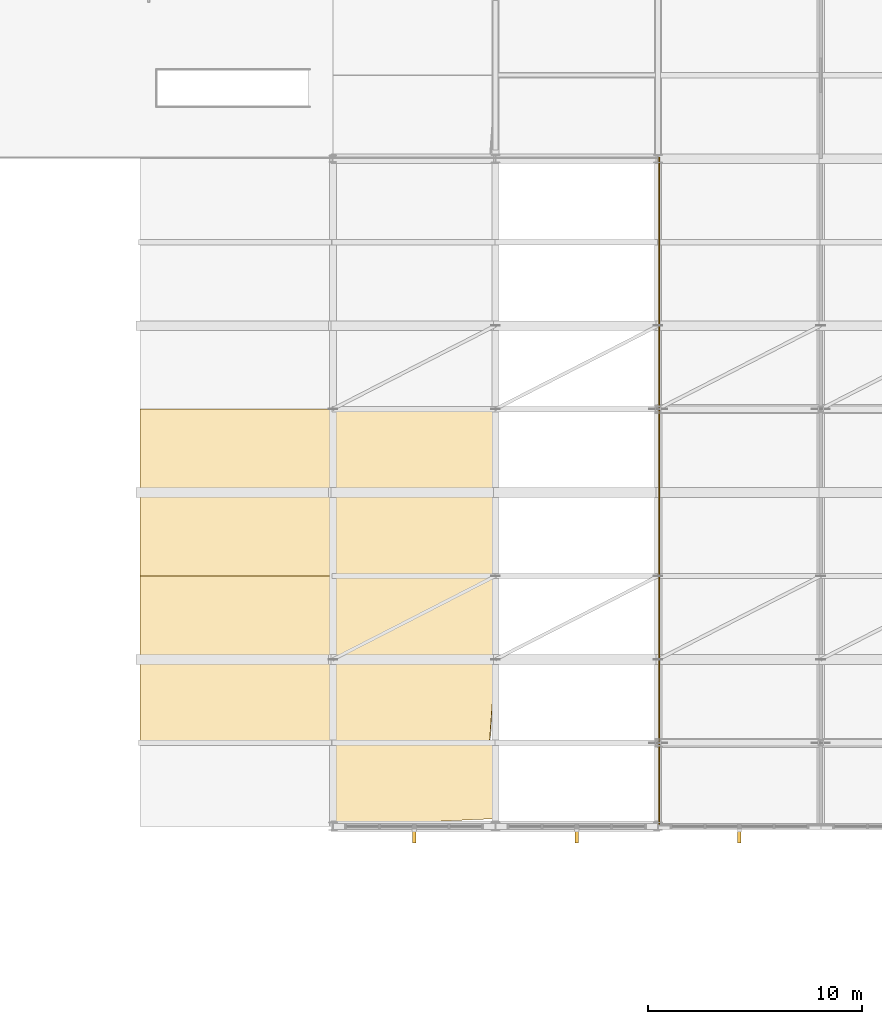
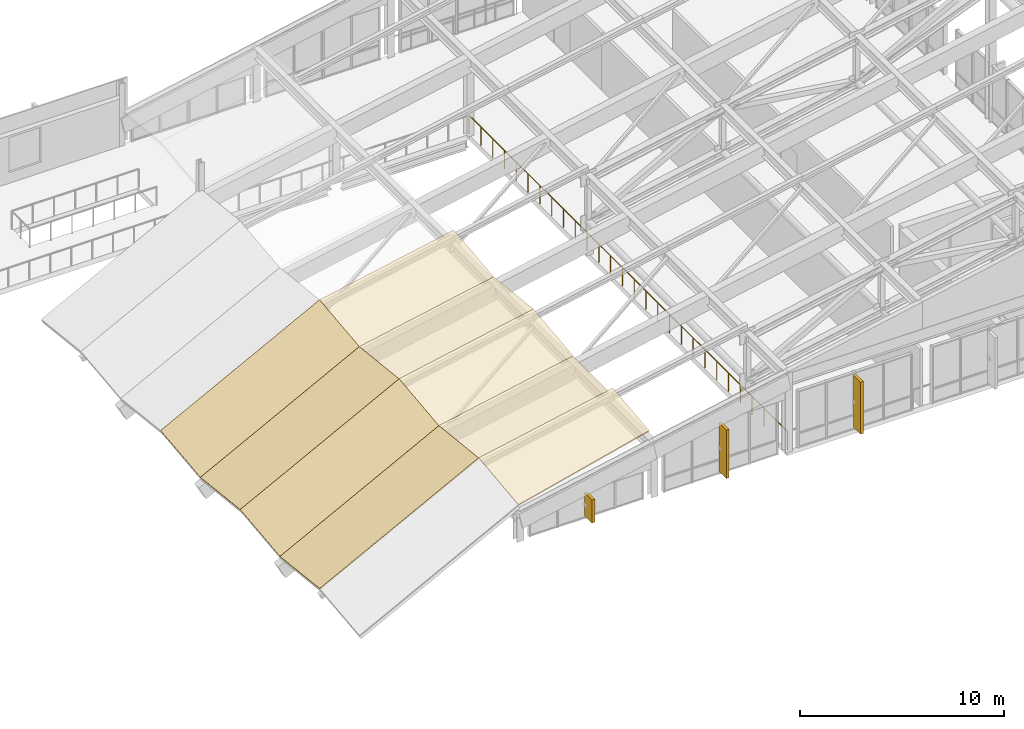
# One storey, part 66 of 73: 9 coverings, 3 shading devices, 1 railing.
"""IFC4 building model written with IfcOpenShell, lengths in metres."""

from ifc_helpers import new_model, si_unit, direction, frame, origin, origin_2d, place, context, subcontext, project, spatial, polyline, rectangle, circle, outline, extrude, material, layer, layer_set, type_object, element, save


model = new_model("IFC4")

# Units and contexts
model_context = context("Model", 3, precision=1e-05, world=origin(), true_north=direction((0.0, 1.0)))
body_context = subcontext(model_context, "Body", "Model", "MODEL_VIEW")
ifc_project = project(units=[si_unit("LENGTHUNIT", "METRE"), si_unit("AREAUNIT", "SQUARE_METRE"), si_unit("VOLUMEUNIT", "CUBIC_METRE"), si_unit("PLANEANGLEUNIT", "RADIAN"), si_unit("MASSUNIT", "GRAM", prefix="KILO")], contexts=[model_context])

# Site, building, storey
site_placement = place(None, origin())
site = spatial("IfcSite", under=ifc_project, at=site_placement, CompositionType="ELEMENT")
building_placement = place(site_placement, origin())
building = spatial("IfcBuilding", under=site, at=building_placement, Name="Vervanel Yard Central Library", CompositionType="ELEMENT")
storey_placement = place(building_placement, frame((0.0, 0.0, 12.780029296875)))
storey = spatial("IfcBuildingStorey", under=building, at=storey_placement, Name="L03", CompositionType="ELEMENT", Elevation=12.780029296875)

# Railing
ifc_material_1 = material(Name="Brushed stainless steel AISI 316", Category="steel")
railing_type = type_object("IfcRailingType", Name="Glazed Atrium & Gallery Balustrade 1120", PredefinedType="BALUSTRADE", material=ifc_material_1)
railing_placement = place(storey_placement, frame((123.25, 43.239990234375, 0.0)))
element("IfcRailing", 1, at=railing_placement, inside=storey, type_object=railing_type, Name="L03 Perimeter Gap Guard V3-L03-STEP-W", PredefinedType="BALUSTRADE", context=body_context, shape_type="SweptSolid", body=[
    extrude(circle(Radius=0.02392578125, at=origin_2d()), frame((0.0, 0.0, 1.09619140625), z_axis=(0.0, 1.0, 0.0), x_axis=(-1.0, 0.0, 0.0)), (0.0, 0.0, 1.0), 31.2099609375),
    extrude(circle(Radius=0.02099609375, at=origin_2d()), origin(), (0.0, 0.0, 1.0), 1.072021484375),
    extrude(circle(Radius=0.02099609375, at=origin_2d()), frame((0.0, 1.156005859375, 0.0)), (0.0, 0.0, 1.0), 1.072021484375),
    extrude(circle(Radius=0.02099609375, at=origin_2d()), frame((0.0, 2.311767578125, 0.0)), (0.0, 0.0, 1.0), 1.072021484375),
    extrude(circle(Radius=0.02099609375, at=origin_2d()), frame((0.0, 3.4677734375, 0.0)), (0.0, 0.0, 1.0), 1.072021484375),
    extrude(circle(Radius=0.02099609375, at=origin_2d()), frame((0.0, 4.623779296875, 0.0)), (0.0, 0.0, 1.0), 1.072021484375),
    extrude(circle(Radius=0.02099609375, at=origin_2d()), frame((0.0, 5.779541015625, 0.0)), (0.0, 0.0, 1.0), 1.072021484375),
    extrude(circle(Radius=0.02099609375, at=origin_2d()), frame((0.0, 6.935546875, 0.0)), (0.0, 0.0, 1.0), 1.072021484375),
    extrude(circle(Radius=0.02099609375, at=origin_2d()), frame((0.0, 8.091552734375, 0.0)), (0.0, 0.0, 1.0), 1.072021484375),
    extrude(circle(Radius=0.02099609375, at=origin_2d()), frame((0.0, 9.247314453125, 0.0)), (0.0, 0.0, 1.0), 1.072021484375),
    extrude(circle(Radius=0.02099609375, at=origin_2d()), frame((0.0, 10.4033203125, 0.0)), (0.0, 0.0, 1.0), 1.072021484375),
    extrude(circle(Radius=0.02099609375, at=origin_2d()), frame((0.0, 11.559326171875, 0.0)), (0.0, 0.0, 1.0), 1.072021484375),
    extrude(circle(Radius=0.02099609375, at=origin_2d()), frame((0.0, 12.715087890625, 0.0)), (0.0, 0.0, 1.0), 1.072021484375),
    extrude(circle(Radius=0.02099609375, at=origin_2d()), frame((0.0, 13.87109375, 0.0)), (0.0, 0.0, 1.0), 1.072021484375),
    extrude(circle(Radius=0.02099609375, at=origin_2d()), frame((0.0, 15.027099609375, 0.0)), (0.0, 0.0, 1.0), 1.072021484375),
    extrude(circle(Radius=0.02099609375, at=origin_2d()), frame((0.0, 16.182861328125, 0.0)), (0.0, 0.0, 1.0), 1.072021484375),
    extrude(circle(Radius=0.02099609375, at=origin_2d()), frame((0.0, 17.3388671875, 0.0)), (0.0, 0.0, 1.0), 1.072021484375),
    extrude(circle(Radius=0.02099609375, at=origin_2d()), frame((0.0, 18.494873046875, 0.0)), (0.0, 0.0, 1.0), 1.072021484375),
    extrude(circle(Radius=0.02099609375, at=origin_2d()), frame((0.0, 19.650634765625, 0.0)), (0.0, 0.0, 1.0), 1.072021484375),
    extrude(circle(Radius=0.02099609375, at=origin_2d()), frame((0.0, 20.806640625, 0.0)), (0.0, 0.0, 1.0), 1.072021484375),
    extrude(circle(Radius=0.02099609375, at=origin_2d()), frame((0.0, 21.962646484375, 0.0)), (0.0, 0.0, 1.0), 1.072021484375),
    extrude(circle(Radius=0.02099609375, at=origin_2d()), frame((0.0, 23.118408203125, 0.0)), (0.0, 0.0, 1.0), 1.072021484375),
    extrude(circle(Radius=0.02099609375, at=origin_2d()), frame((0.0, 24.2744140625, 0.0)), (0.0, 0.0, 1.0), 1.072021484375),
    extrude(circle(Radius=0.02099609375, at=origin_2d()), frame((0.0, 25.430419921875, 0.0)), (0.0, 0.0, 1.0), 1.072021484375),
    extrude(circle(Radius=0.02099609375, at=origin_2d()), frame((0.0, 26.586181640625, 0.0)), (0.0, 0.0, 1.0), 1.072021484375),
    extrude(circle(Radius=0.02099609375, at=origin_2d()), frame((0.0, 27.7421875, 0.0)), (0.0, 0.0, 1.0), 1.072021484375),
    extrude(circle(Radius=0.02099609375, at=origin_2d()), frame((0.0, 28.898193359375, 0.0)), (0.0, 0.0, 1.0), 1.072021484375),
    extrude(circle(Radius=0.02099609375, at=origin_2d()), frame((0.0, 30.053955078125, 0.0)), (0.0, 0.0, 1.0), 1.072021484375),
    extrude(circle(Radius=0.02099609375, at=origin_2d()), frame((0.0, 31.2099609375, 0.0)), (0.0, 0.0, 1.0), 1.072021484375),
])

# Coverings
ifc_material_2 = material(Name="Standing-seam dark zinc-coated metal roofing", Category="metal")
ifc_layer = layer(ifc_material_2, 0.06494140625, Category="metal")
ifc_layer_set = layer_set([ifc_layer], Name="Standing-seam dark zinc-coated metal roofing")
covering_type = type_object("IfcCoveringType", Name="Standing-Seam Dark Zinc Roof Assembly", PredefinedType="ROOFING", material=ifc_layer_set)
covering_1_placement = place(storey_placement, frame((99.0, 47.10009765625, -2.149658203125), z_axis=(-0.45869279123, 0.099035921186, 0.88305878037), x_axis=(0.887421421205, -1.052634e-06, 0.460959023326)))
element("IfcCovering", 2, at=covering_1_placement, inside=storey, type_object=covering_type, Name="Standing-Seam Zinc Roofing V3-FLK-B2-S02", PredefinedType="ROOFING", context=body_context, shape_type="SweptSolid", body=[
    extrude(outline(polyline([(0.0, 0.0), (10.141798732657492, 5.551115123125783e-17), (9.940125054782314, 3.919180049043323), (-0.20156113905112522, 3.919158592472255), (0.0, 0.0)])), origin(), (0.0, 0.0, -1.0), 0.06494140625),
])
covering_2_placement = place(storey_placement, frame((99.0, 51.0, -2.5869140625), z_axis=(-0.45869279123, -0.099035921186, 0.88305878037), x_axis=(0.887421517789, -1.052646e-06, 0.460958837386)))
element("IfcCovering", 3, at=covering_2_placement, inside=storey, type_object=covering_type, Name="Standing-Seam Zinc Roofing V3-FLK-B2-S03", PredefinedType="ROOFING", context=body_context, shape_type="SweptSolid", body=[
    extrude(outline(polyline([(0.0, 0.0), (10.141686193856135, 0.0), (10.343351579996762, 3.919180475711686), (0.20155284736196882, 3.9191590189025214), (0.0, 0.0)])), origin(), (0.0, 0.0, -1.0), 0.06494140625),
])
covering_3_placement = place(storey_placement, frame((99.0, 54.89990234375, -2.149658203125), z_axis=(-0.458693072844, 0.099029782554, 0.883059322522), x_axis=(0.887421421211, -1.052569e-06, 0.460959023314)))
element("IfcCovering", 4, at=covering_3_placement, inside=storey, type_object=covering_type, Name="Standing-Seam Zinc Roofing V3-FLK-B2-S04", PredefinedType="ROOFING", context=body_context, shape_type="SweptSolid", body=[
    extrude(outline(polyline([(0.0, 0.0), (10.141798732657492, 5.551115123125783e-17), (9.940125054782314, 3.9194229888613887), (-0.2015611390511266, 3.9194015336202823), (0.0, 0.0)])), origin(), (0.0, 0.0, -1.0), 0.06494140625),
])
covering_4_placement = place(storey_placement, frame((99.0, 58.800048828125, -2.5869140625), z_axis=(-0.45869279123, -0.099035921186, 0.88305878037), x_axis=(0.887421517789, -1.052646e-06, 0.460958837386)))
element("IfcCovering", 5, at=covering_4_placement, inside=storey, type_object=covering_type, Name="Standing-Seam Zinc Roofing V3-FLK-B2-S05", PredefinedType="ROOFING", context=body_context, shape_type="SweptSolid", body=[
    extrude(outline(polyline([(0.0, 0.0), (10.141686193856135, 0.0), (10.343351579996762, 3.919180475711686), (0.20155284736196882, 3.9191590189025214), (0.0, 0.0)])), origin(), (0.0, 0.0, -1.0), 0.06494140625),
])
covering_5_placement = place(storey_placement, frame((108.0, 43.199951171875, 2.087890625), z_axis=(-0.194587788316, -0.10932814032, 0.974773281524), x_axis=(0.978585684878, 0.04636816543, 0.200549371941)))
element("IfcCovering", 6, at=covering_5_placement, inside=storey, type_object=covering_type, Name="Standing-Seam Zinc Roofing V3-FS-B1-S01", PredefinedType="ROOFING", context=body_context, shape_type="SweptSolid", body=[
    extrude(outline(polyline([(0.0, 0.0), (7.766423439271054, -2.7755575615628914e-17), (8.010181173039005, 3.5538776029150987), (0.2685829876135819, 3.9154070061469257), (0.0, 0.0)])), origin(), (0.0, 0.0, -1.0), 0.06494140625),
])
covering_6_placement = place(storey_placement, frame((108.0, 47.10009765625, 2.525390625), z_axis=(-0.194578103947, 0.109350925129, 0.974772658951), x_axis=(0.98065343639, 7.4846e-08, 0.19575198006)))
element("IfcCovering", 7, at=covering_6_placement, inside=storey, type_object=covering_type, Name="Standing-Seam Zinc Roofing V3-FS-B1-S02", PredefinedType="ROOFING", context=body_context, shape_type="SweptSolid", body=[
    extrude(outline(polyline([(0.0, 0.0), (7.464479390606988, 0.0), (7.664394024955068, 3.923429766962156), (-0.085641199385448, 3.923430912572371), (0.0, 0.0)])), origin(), (0.0, 0.0, -1.0), 0.06494140625),
])
covering_7_placement = place(storey_placement, frame((108.0, 51.0, 2.087890625), z_axis=(-0.194578722861, -0.109352205216, 0.974772391804), x_axis=(0.980653304953, 0.0, 0.195752638515)))
element("IfcCovering", 8, at=covering_7_placement, inside=storey, type_object=covering_type, Name="Standing-Seam Zinc Roofing V3-FS-B1-S03", PredefinedType="ROOFING", context=body_context, shape_type="SweptSolid", body=[
    extrude(outline(polyline([(0.0, 0.0), (7.750035224342283, 0.0), (7.835677003692641, 3.9234308999160996), (0.08564177935035812, 3.923430899916099), (0.0, 0.0)])), origin(), (0.0, 0.0, -1.0), 0.06494140625),
])
covering_8_placement = place(storey_placement, frame((108.0, 54.89990234375, 2.525390625), z_axis=(-0.194578868507, 0.109345441854, 0.974773121437), x_axis=(0.980653304953, 0.0, 0.195752638515)))
element("IfcCovering", 9, at=covering_8_placement, inside=storey, type_object=covering_type, Name="Standing-Seam Zinc Roofing V3-FS-B1-S04", PredefinedType="ROOFING", context=body_context, shape_type="SweptSolid", body=[
    extrude(outline(polyline([(0.0, 0.0), (7.750035224342283, 0.0), (7.6643934449919255, 3.9236735765367103), (-0.08564177935035812, 3.92367357653671), (0.0, 0.0)])), origin(), (0.0, 0.0, -1.0), 0.06494140625),
])
covering_9_placement = place(storey_placement, frame((108.0, 58.800048828125, 2.087890625), z_axis=(-0.194578722861, -0.109352205216, 0.974772391804), x_axis=(0.980653304953, 0.0, 0.195752638515)))
element("IfcCovering", 10, at=covering_9_placement, inside=storey, type_object=covering_type, Name="Standing-Seam Zinc Roofing V3-FS-B1-S05", PredefinedType="ROOFING", context=body_context, shape_type="SweptSolid", body=[
    extrude(outline(polyline([(0.0, 0.0), (7.750035224342283, 0.0), (7.835677003692641, 3.9234308999160996), (0.08564177935035812, 3.923430899916099), (0.0, 0.0)])), origin(), (0.0, 0.0, -1.0), 0.06494140625),
])

# Shading devices
ifc_material_3 = material(Name="Precast concrete C45/55", Category="concrete")
shading_device_type = type_object("IfcShadingDeviceType", Name="Vertical Precast Solar Fin 160x720x3200", PredefinedType="JALOUSIE", material=ifc_material_3)
shading_device_1_placement = place(storey_placement, frame((111.800048828125, 42.7900390625, 0.150146484375), z_axis=(0.0, 0.0, 1.0), x_axis=(1.0, 0.0, 0.0)))
element("IfcShadingDevice", 11, at=shading_device_1_placement, inside=storey, type_object=shading_device_type, Name="L03 Precast Solar Fin 461", PredefinedType="JALOUSIE", context=body_context, shape_type="SweptSolid", body=[
    extrude(rectangle(XDim=0.159912109375, YDim=0.719970703125, at=origin_2d()), origin(), (0.0, 0.0, 1.0), 1.3798828125),
])
shading_device_2_placement = place(storey_placement, frame((119.39990234375, 42.7900390625, 0.150146484375), z_axis=(0.0, 0.0, 1.0), x_axis=(1.0, 0.0, 0.0)))
element("IfcShadingDevice", 12, at=shading_device_2_placement, inside=storey, type_object=shading_device_type, Name="L03 Precast Solar Fin 462", PredefinedType="JALOUSIE", context=body_context, shape_type="SweptSolid", body=[
    extrude(rectangle(XDim=0.159912109375, YDim=0.719970703125, at=origin_2d()), origin(), (0.0, 0.0, 1.0), 2.89697265625),
])
shading_device_3_placement = place(storey_placement, frame((127.0, 42.7900390625, 0.14990234375), z_axis=(0.0, 0.0, 1.0), x_axis=(1.0, 0.0, 0.0)))
element("IfcShadingDevice", 13, at=shading_device_3_placement, inside=storey, type_object=shading_device_type, Name="L03 Precast Solar Fin 463", PredefinedType="JALOUSIE", context=body_context, shape_type="SweptSolid", body=[
    extrude(rectangle(XDim=0.159912109375, YDim=0.719970703125, at=origin_2d()), origin(), (0.0, 0.0, 1.0), 3.10009765625),
])

save(model, "model.ifc")
